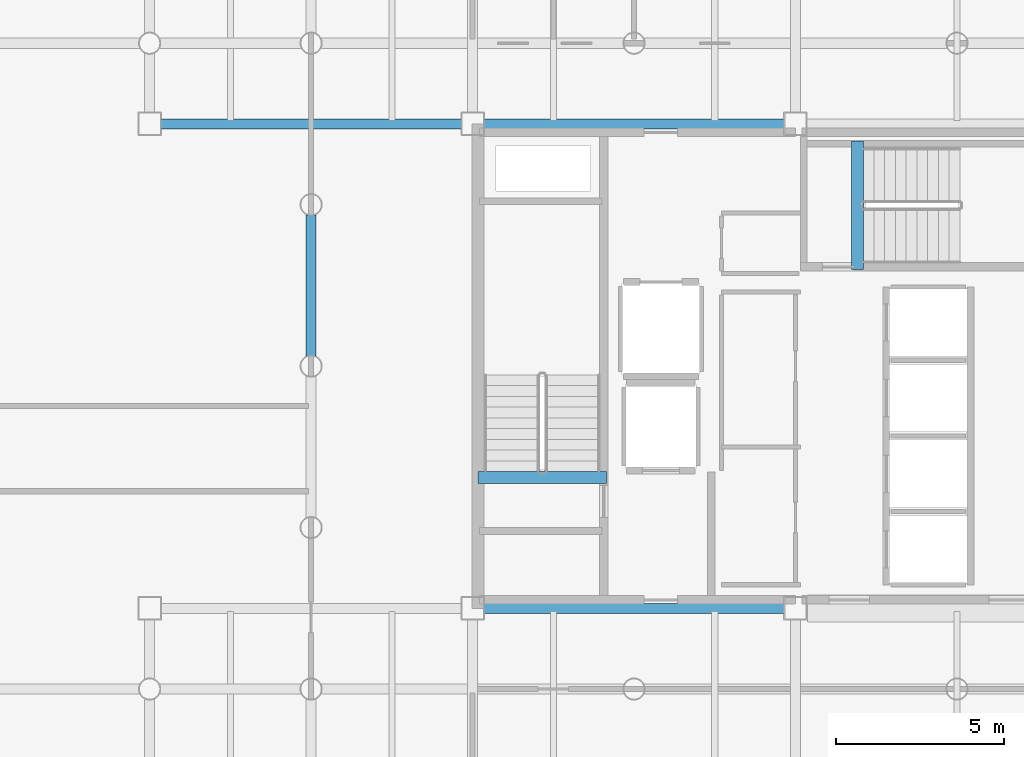
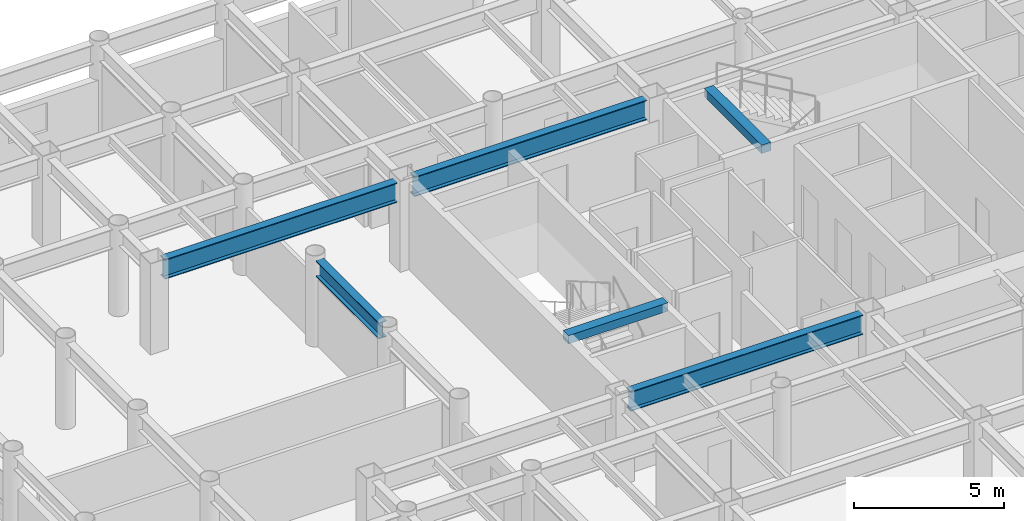
# One storey, part 5 of 19: 6 beams.
"""IFC4 building model written with IfcOpenShell, lengths in metres."""

from ifc_helpers import new_model, si_unit, direction, frame, origin, origin_2d, place, context, subcontext, project, spatial, rectangle, i_section, extrude, material, material_profile, profile_set, type_object, element, save


model = new_model("IFC4")

# Units and contexts
model_context = context("Model", 3, precision=1e-05, world=origin(), true_north=direction((0.0, 1.0)))
body_context = subcontext(model_context, "Body", "Model", "MODEL_VIEW")
ifc_project = project(units=[si_unit("LENGTHUNIT", "METRE"), si_unit("AREAUNIT", "SQUARE_METRE"), si_unit("VOLUMEUNIT", "CUBIC_METRE"), si_unit("PLANEANGLEUNIT", "RADIAN"), si_unit("MASSUNIT", "GRAM", prefix="KILO")], contexts=[model_context])

# Site, building, storey
site_placement = place(None, origin())
site = spatial("IfcSite", under=ifc_project, at=site_placement, CompositionType="ELEMENT")
building_placement = place(site_placement, origin())
building = spatial("IfcBuilding", under=site, at=building_placement, Name="Kallvorn Hotel Tower", CompositionType="ELEMENT")
storey_placement = place(building_placement, frame((0.0, 0.0, 165.5)))
storey = spatial("IfcBuildingStorey", under=building, at=storey_placement, Name="L41", CompositionType="ELEMENT", Elevation=165.5)

# Beams
ifc_material_1 = material(Name="Structural steel S355JR", Category="steel")
ifc_material_profile_1 = material_profile(ifc_material_1, i_section(OverallWidth=0.300048828125, OverallDepth=0.64990234375, WebThickness=0.01611328125, FlangeThickness=0.031005859375, at=origin_2d()), Name="HE 650 B")
ifc_profile_set_1 = profile_set([ifc_material_profile_1], Name="Structural steel S355JR")
beam_type_1 = type_object("IfcBeamType", Name="BM_HE650B", PredefinedType="BEAM", material=ifc_profile_set_1)
beam_1_placement = place(storey_placement, frame((-19.199951171875, 0.304931640625, 3.195068359375), z_axis=(0.0, 1.0, 0.0), x_axis=(-1.0, 0.0, 0.0)))
element("IfcBeam", 1, at=beam_1_placement, inside=storey, type_object=beam_type_1, Name="L42 Primary Y-Girder 94", PredefinedType="BEAM", context=body_context, shape_type="SweptSolid", body=[
    extrude(i_section(OverallWidth=0.300048828125, OverallDepth=0.64990234375, WebThickness=0.01611328125, FlangeThickness=0.031005859375, at=origin_2d()), origin(), (0.0, 0.0, 1.0), 4.190185546875),
])
ifc_material_2 = material(Name="Structural steel S355JR", Category="steel")
ifc_material_profile_2 = material_profile(ifc_material_2, i_section(OverallWidth=0.300048828125, OverallDepth=0.800048828125, WebThickness=0.017578125, FlangeThickness=0.032958984375, at=origin_2d()), Name="HE 800 B")
ifc_profile_set_2 = profile_set([ifc_material_profile_2], Name="Structural steel S355JR")
beam_type_2 = type_object("IfcBeamType", Name="BM_HE800B", PredefinedType="BEAM", material=ifc_profile_set_2)
for number, where, z_axis, x_axis, name in (
    (2, (-14.074951171875, -7.199951171875, 3.1201171875), (1.0, 0.0, 0.0), (0.0, 1.0, 0.0), "L42 Primary X-Girder 34"),
    (3, (-23.675048828125, 7.199951171875, 3.1201171875), (1.0, 0.0, 0.0), (0.0, 1.0, 0.0), "L42 Primary X-Girder 37"),
    (4, (-14.074951171875, 7.199951171875, 3.1201171875), (1.0, 0.0, 0.0), (0.0, 1.0, 0.0), "L42 Primary X-Girder 38"),
):
    element("IfcBeam", number, at=place(storey_placement, frame(where, z_axis=z_axis, x_axis=x_axis)), inside=storey, type_object=beam_type_2, Name=name, PredefinedType="BEAM", context=body_context, shape_type="SweptSolid", body=[
        extrude(i_section(OverallWidth=0.300048828125, OverallDepth=0.800048828125, WebThickness=0.017578125, FlangeThickness=0.032958984375, at=origin_2d()), origin(), (0.0, 0.0, 1.0), 8.949951171875),
    ])
ifc_material_3 = material(Name="Concrete C50/60", Category="concrete")
ifc_material_profile_3 = material_profile(ifc_material_3, rectangle(XDim=0.360107421875, YDim=0.340087890625, at=origin_2d()), Name="RC 360x340")
ifc_profile_set_3 = profile_set([ifc_material_profile_3], Name="Concrete C50/60")
beam_type_3 = type_object("IfcBeamType", Name="BM_RC_400x360", PredefinedType="BEAM", material=ifc_profile_set_3)
beam_2_placement = place(storey_placement, frame((-10.419921875, -3.31005859375, 3.35009765625), z_axis=(-1.0, 0.0, 0.0), x_axis=(0.0, -1.0, 0.0)))
element("IfcBeam", 5, at=beam_2_placement, inside=storey, type_object=beam_type_3, Name="L42 Stair ST1 Arrival Trimmer Beam", PredefinedType="BEAM", context=body_context, shape_type="SweptSolid", body=[
    extrude(rectangle(XDim=0.360107421875, YDim=0.340087890625, at=origin_2d()), origin(), (0.0, 0.0, 1.0), 3.820068359375),
])
beam_3_placement = place(storey_placement, frame((-2.9599609375, 2.8701171875, 3.35009765625), z_axis=(0.0, 1.0, 0.0), x_axis=(-1.0, 0.0, 0.0)))
element("IfcBeam", 6, at=beam_3_placement, inside=storey, type_object=beam_type_3, Name="L42 Stair ST3 Arrival Trimmer Beam", PredefinedType="BEAM", context=body_context, shape_type="SweptSolid", body=[
    extrude(rectangle(XDim=0.360107421875, YDim=0.340087890625, at=origin_2d()), origin(), (0.0, 0.0, 1.0), 3.81982421875),
])

save(model, "model.ifc")
